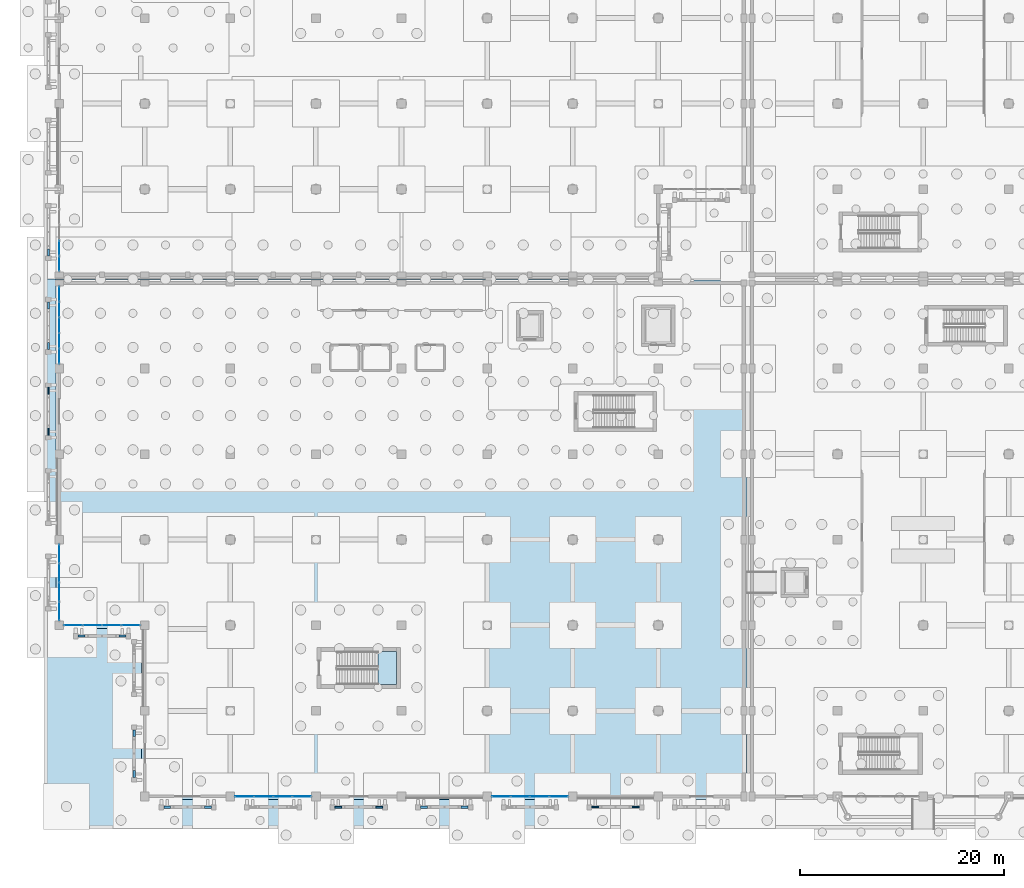
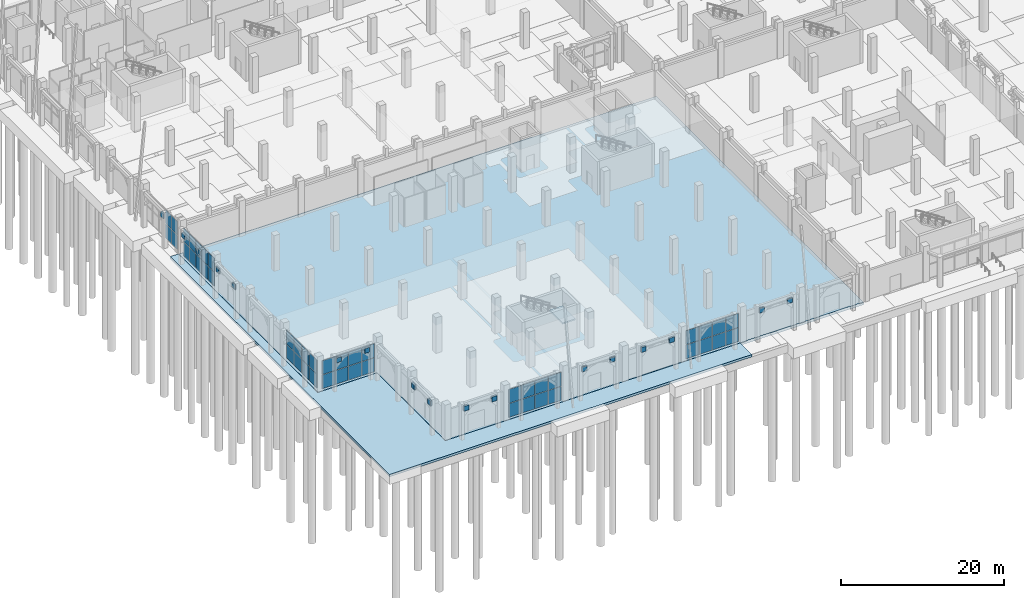
# One storey, part 50 of 98: 63 plates, 3 slabs, 7 elements without a shape of their own.
"""IFC4 building model written with IfcOpenShell, lengths in metres."""

from ifc_helpers import new_model, si_unit, direction, frame, origin, origin_2d, place, context, subcontext, project, spatial, polyline, rectangle, outline, extrude, material, layer, layer_set, type_object, element, aggregate, save


model = new_model("IFC4")

# Units and contexts
model_context = context("Model", 3, precision=1e-05, world=origin(), true_north=direction((0.0, 1.0)))
body_context = subcontext(model_context, "Body", "Model", "MODEL_VIEW")
ifc_project = project(units=[si_unit("LENGTHUNIT", "METRE"), si_unit("AREAUNIT", "SQUARE_METRE"), si_unit("VOLUMEUNIT", "CUBIC_METRE"), si_unit("PLANEANGLEUNIT", "RADIAN"), si_unit("MASSUNIT", "GRAM", prefix="KILO")], contexts=[model_context])

# Site, building, storey
site_placement = place(None, origin())
site = spatial("IfcSite", under=ifc_project, at=site_placement, CompositionType="ELEMENT")
building_placement = place(site_placement, origin())
building = spatial("IfcBuilding", under=site, at=building_placement, Name="Xazarin Passage Department Store", CompositionType="ELEMENT")
storey_placement = place(building_placement, origin())
storey = spatial("IfcBuildingStorey", under=building, at=storey_placement, Name="L00", CompositionType="ELEMENT", Elevation=0.0)

# Curtain wall, plates
ifc_material_1 = material(Name="Bronze anodised aluminium", Category="aluminium")
ifc_layer_1 = layer(ifc_material_1, 0.18994140625)
ifc_layer_set_1 = layer_set([ifc_layer_1], Name="Bronze anodised aluminium")
curtain_wall_type_1 = type_object("IfcCurtainWallType", Name="ARC-CW-FDH1", PredefinedType="NOTDEFINED", material=ifc_layer_set_1)
curtain_wall_1_placement = place(storey_placement, origin())
curtain_wall_1 = element("IfcCurtainWall", 1, at=curtain_wall_1_placement, inside=storey, type_object=curtain_wall_type_1, Name="L00 V3 Curtain Wall 118", PredefinedType="NOTDEFINED")
ifc_material_2 = material(Name="Low-E laminated safety glass", Category="glass")
ifc_layer_2 = layer(ifc_material_2, 0.028076171875)
ifc_layer_set_2 = layer_set([ifc_layer_2], Name="Low-E laminated safety glass")
plate_type_1 = type_object("IfcPlateType", Name="ARC-CWP-GLZ28", PredefinedType="CURTAIN_PANEL", material=ifc_layer_set_2)
plate_1_placement = place(storey_placement, frame((18.18505859375, 0.0, 0.06494140625), z_axis=(0.0, 0.0, 1.0), x_axis=(1.0, 0.0, 0.0)))
plate_1 = element("IfcPlate", 2, at=plate_1_placement, type_object=plate_type_1, Name="CW5 panel 1.1", PredefinedType="CURTAIN_PANEL", context=body_context, shape_type="SweptSolid", body=[
    extrude(rectangle(XDim=1.7900390625, YDim=0.028076171875, at=origin_2d()), origin(), (0.0, 0.0, 1.0), 2.0673828125),
])
plate_2_placement = place(storey_placement, frame((18.18505859375, 0.0, 2.197509765625), z_axis=(0.0, 0.0, 1.0), x_axis=(1.0, 0.0, 0.0)))
plate_2 = element("IfcPlate", 3, at=plate_2_placement, type_object=plate_type_1, Name="CW5 panel 1.2", PredefinedType="CURTAIN_PANEL", context=body_context, shape_type="SweptSolid", body=[
    extrude(rectangle(XDim=1.7900390625, YDim=0.028076171875, at=origin_2d()), origin(), (0.0, 0.0, 1.0), 2.0673828125),
])
plate_3_placement = place(storey_placement, frame((20.05615234375, 0.0, 0.06494140625), z_axis=(0.0, 0.0, 1.0), x_axis=(1.0, 0.0, 0.0)))
plate_3 = element("IfcPlate", 4, at=plate_3_placement, type_object=plate_type_1, Name="CW5 panel 2.1", PredefinedType="CURTAIN_PANEL", context=body_context, shape_type="SweptSolid", body=[
    extrude(rectangle(XDim=1.822509765625, YDim=0.028076171875, at=origin_2d()), origin(), (0.0, 0.0, 1.0), 2.0673828125),
])
plate_4_placement = place(storey_placement, frame((20.05615234375, 0.0, 2.197509765625), z_axis=(0.0, 0.0, 1.0), x_axis=(1.0, 0.0, 0.0)))
plate_4 = element("IfcPlate", 5, at=plate_4_placement, type_object=plate_type_1, Name="CW5 panel 2.2", PredefinedType="CURTAIN_PANEL", context=body_context, shape_type="SweptSolid", body=[
    extrude(rectangle(XDim=1.822509765625, YDim=0.028076171875, at=origin_2d()), origin(), (0.0, 0.0, 1.0), 2.0673828125),
])
plate_5_placement = place(storey_placement, frame((21.94384765625, 0.0, 0.06494140625), z_axis=(0.0, 0.0, 1.0), x_axis=(1.0, 0.0, 0.0)))
plate_5 = element("IfcPlate", 6, at=plate_5_placement, type_object=plate_type_1, Name="CW5 panel 3.1", PredefinedType="CURTAIN_PANEL", context=body_context, shape_type="SweptSolid", body=[
    extrude(rectangle(XDim=1.822509765625, YDim=0.028076171875, at=origin_2d()), origin(), (0.0, 0.0, 1.0), 2.0673828125),
])
plate_6_placement = place(storey_placement, frame((21.94384765625, 0.0, 2.197509765625), z_axis=(0.0, 0.0, 1.0), x_axis=(1.0, 0.0, 0.0)))
plate_6 = element("IfcPlate", 7, at=plate_6_placement, type_object=plate_type_1, Name="CW5 panel 3.2", PredefinedType="CURTAIN_PANEL", context=body_context, shape_type="SweptSolid", body=[
    extrude(rectangle(XDim=1.822509765625, YDim=0.028076171875, at=origin_2d()), origin(), (0.0, 0.0, 1.0), 2.0673828125),
])
plate_7_placement = place(storey_placement, frame((23.81494140625, 0.0, 0.06494140625), z_axis=(0.0, 0.0, 1.0), x_axis=(1.0, 0.0, 0.0)))
plate_7 = element("IfcPlate", 8, at=plate_7_placement, type_object=plate_type_1, Name="CW5 panel 4.1", PredefinedType="CURTAIN_PANEL", context=body_context, shape_type="SweptSolid", body=[
    extrude(rectangle(XDim=1.7900390625, YDim=0.028076171875, at=origin_2d()), origin(), (0.0, 0.0, 1.0), 2.0673828125),
])
plate_8_placement = place(storey_placement, frame((23.81494140625, 0.0, 2.197509765625), z_axis=(0.0, 0.0, 1.0), x_axis=(1.0, 0.0, 0.0)))
plate_8 = element("IfcPlate", 9, at=plate_8_placement, type_object=plate_type_1, Name="CW5 panel 4.2", PredefinedType="CURTAIN_PANEL", context=body_context, shape_type="SweptSolid", body=[
    extrude(rectangle(XDim=1.7900390625, YDim=0.028076171875, at=origin_2d()), origin(), (0.0, 0.0, 1.0), 2.0673828125),
])
aggregate(curtain_wall_1, [plate_1, plate_2, plate_3, plate_4, plate_5, plate_6, plate_7, plate_8])

curtain_wall_2_placement = place(storey_placement, origin())
curtain_wall_2 = element("IfcCurtainWall", 10, at=curtain_wall_2_placement, inside=storey, type_object=curtain_wall_type_1, Name="L00 V3 Curtain Wall 119", PredefinedType="NOTDEFINED")
plate_9_placement = place(storey_placement, frame((43.385009765625, 0.0, 0.06494140625), z_axis=(0.0, 0.0, 1.0), x_axis=(1.0, 0.0, 0.0)))
plate_9 = element("IfcPlate", 11, at=plate_9_placement, type_object=plate_type_1, Name="CW5 panel 1.1", PredefinedType="CURTAIN_PANEL", context=body_context, shape_type="SweptSolid", body=[
    extrude(rectangle(XDim=1.7900390625, YDim=0.028076171875, at=origin_2d()), origin(), (0.0, 0.0, 1.0), 2.0673828125),
])
plate_10_placement = place(storey_placement, frame((43.385009765625, 0.0, 2.197509765625), z_axis=(0.0, 0.0, 1.0), x_axis=(1.0, 0.0, 0.0)))
plate_10 = element("IfcPlate", 12, at=plate_10_placement, type_object=plate_type_1, Name="CW5 panel 1.2", PredefinedType="CURTAIN_PANEL", context=body_context, shape_type="SweptSolid", body=[
    extrude(rectangle(XDim=1.7900390625, YDim=0.028076171875, at=origin_2d()), origin(), (0.0, 0.0, 1.0), 2.0673828125),
])
plate_11_placement = place(storey_placement, frame((45.25634765625, 0.0, 0.06494140625), z_axis=(0.0, 0.0, 1.0), x_axis=(1.0, 0.0, 0.0)))
plate_11 = element("IfcPlate", 13, at=plate_11_placement, type_object=plate_type_1, Name="CW5 panel 2.1", PredefinedType="CURTAIN_PANEL", context=body_context, shape_type="SweptSolid", body=[
    extrude(rectangle(XDim=1.822509765625, YDim=0.028076171875, at=origin_2d()), origin(), (0.0, 0.0, 1.0), 2.0673828125),
])
plate_12_placement = place(storey_placement, frame((45.25634765625, 0.0, 2.197509765625), z_axis=(0.0, 0.0, 1.0), x_axis=(1.0, 0.0, 0.0)))
plate_12 = element("IfcPlate", 14, at=plate_12_placement, type_object=plate_type_1, Name="CW5 panel 2.2", PredefinedType="CURTAIN_PANEL", context=body_context, shape_type="SweptSolid", body=[
    extrude(rectangle(XDim=1.822509765625, YDim=0.028076171875, at=origin_2d()), origin(), (0.0, 0.0, 1.0), 2.0673828125),
])
plate_13_placement = place(storey_placement, frame((47.143798828125, 0.0, 0.06494140625), z_axis=(0.0, 0.0, 1.0), x_axis=(1.0, 0.0, 0.0)))
plate_13 = element("IfcPlate", 15, at=plate_13_placement, type_object=plate_type_1, Name="CW5 panel 3.1", PredefinedType="CURTAIN_PANEL", context=body_context, shape_type="SweptSolid", body=[
    extrude(rectangle(XDim=1.822509765625, YDim=0.028076171875, at=origin_2d()), origin(), (0.0, 0.0, 1.0), 2.0673828125),
])
plate_14_placement = place(storey_placement, frame((47.143798828125, 0.0, 2.197509765625), z_axis=(0.0, 0.0, 1.0), x_axis=(1.0, 0.0, 0.0)))
plate_14 = element("IfcPlate", 16, at=plate_14_placement, type_object=plate_type_1, Name="CW5 panel 3.2", PredefinedType="CURTAIN_PANEL", context=body_context, shape_type="SweptSolid", body=[
    extrude(rectangle(XDim=1.822509765625, YDim=0.028076171875, at=origin_2d()), origin(), (0.0, 0.0, 1.0), 2.0673828125),
])
plate_15_placement = place(storey_placement, frame((49.014892578125, 0.0, 0.06494140625), z_axis=(0.0, 0.0, 1.0), x_axis=(1.0, 0.0, 0.0)))
plate_15 = element("IfcPlate", 17, at=plate_15_placement, type_object=plate_type_1, Name="CW5 panel 4.1", PredefinedType="CURTAIN_PANEL", context=body_context, shape_type="SweptSolid", body=[
    extrude(rectangle(XDim=1.7900390625, YDim=0.028076171875, at=origin_2d()), origin(), (0.0, 0.0, 1.0), 2.0673828125),
])
plate_16_placement = place(storey_placement, frame((49.014892578125, 0.0, 2.197509765625), z_axis=(0.0, 0.0, 1.0), x_axis=(1.0, 0.0, 0.0)))
plate_16 = element("IfcPlate", 18, at=plate_16_placement, type_object=plate_type_1, Name="CW5 panel 4.2", PredefinedType="CURTAIN_PANEL", context=body_context, shape_type="SweptSolid", body=[
    extrude(rectangle(XDim=1.7900390625, YDim=0.028076171875, at=origin_2d()), origin(), (0.0, 0.0, 1.0), 2.0673828125),
])
aggregate(curtain_wall_2, [plate_9, plate_10, plate_11, plate_12, plate_13, plate_14, plate_15, plate_16])

curtain_wall_3_placement = place(storey_placement, origin())
curtain_wall_3 = element("IfcCurtainWall", 19, at=curtain_wall_3_placement, inside=storey, type_object=curtain_wall_type_1, Name="L00 V3 Curtain Wall 120", PredefinedType="NOTDEFINED")
plate_17_placement = place(storey_placement, frame((1.385009765625, 16.800048828125, 0.06494140625), z_axis=(0.0, 0.0, 1.0), x_axis=(1.0, 0.0, 0.0)))
plate_17 = element("IfcPlate", 20, at=plate_17_placement, type_object=plate_type_1, Name="CW5 panel 1.1", PredefinedType="CURTAIN_PANEL", context=body_context, shape_type="SweptSolid", body=[
    extrude(rectangle(XDim=1.7900390625, YDim=0.028076171875, at=origin_2d()), origin(), (0.0, 0.0, 1.0), 2.0673828125),
])
plate_18_placement = place(storey_placement, frame((1.385009765625, 16.800048828125, 2.197509765625), z_axis=(0.0, 0.0, 1.0), x_axis=(1.0, 0.0, 0.0)))
plate_18 = element("IfcPlate", 21, at=plate_18_placement, type_object=plate_type_1, Name="CW5 panel 1.2", PredefinedType="CURTAIN_PANEL", context=body_context, shape_type="SweptSolid", body=[
    extrude(rectangle(XDim=1.7900390625, YDim=0.028076171875, at=origin_2d()), origin(), (0.0, 0.0, 1.0), 2.0673828125),
])
plate_19_placement = place(storey_placement, frame((3.25634765625, 16.800048828125, 0.06494140625), z_axis=(0.0, 0.0, 1.0), x_axis=(1.0, 0.0, 0.0)))
plate_19 = element("IfcPlate", 22, at=plate_19_placement, type_object=plate_type_1, Name="CW5 panel 2.1", PredefinedType="CURTAIN_PANEL", context=body_context, shape_type="SweptSolid", body=[
    extrude(rectangle(XDim=1.822509765625, YDim=0.028076171875, at=origin_2d()), origin(), (0.0, 0.0, 1.0), 2.0673828125),
])
plate_20_placement = place(storey_placement, frame((3.25634765625, 16.800048828125, 2.197509765625), z_axis=(0.0, 0.0, 1.0), x_axis=(1.0, 0.0, 0.0)))
plate_20 = element("IfcPlate", 23, at=plate_20_placement, type_object=plate_type_1, Name="CW5 panel 2.2", PredefinedType="CURTAIN_PANEL", context=body_context, shape_type="SweptSolid", body=[
    extrude(rectangle(XDim=1.822509765625, YDim=0.028076171875, at=origin_2d()), origin(), (0.0, 0.0, 1.0), 2.0673828125),
])
plate_21_placement = place(storey_placement, frame((5.143798828125, 16.800048828125, 0.06494140625), z_axis=(0.0, 0.0, 1.0), x_axis=(1.0, 0.0, 0.0)))
plate_21 = element("IfcPlate", 24, at=plate_21_placement, type_object=plate_type_1, Name="CW5 panel 3.1", PredefinedType="CURTAIN_PANEL", context=body_context, shape_type="SweptSolid", body=[
    extrude(rectangle(XDim=1.822509765625, YDim=0.028076171875, at=origin_2d()), origin(), (0.0, 0.0, 1.0), 2.0673828125),
])
plate_22_placement = place(storey_placement, frame((5.143798828125, 16.800048828125, 2.197509765625), z_axis=(0.0, 0.0, 1.0), x_axis=(1.0, 0.0, 0.0)))
plate_22 = element("IfcPlate", 25, at=plate_22_placement, type_object=plate_type_1, Name="CW5 panel 3.2", PredefinedType="CURTAIN_PANEL", context=body_context, shape_type="SweptSolid", body=[
    extrude(rectangle(XDim=1.822509765625, YDim=0.028076171875, at=origin_2d()), origin(), (0.0, 0.0, 1.0), 2.0673828125),
])
plate_23_placement = place(storey_placement, frame((7.014892578125, 16.800048828125, 0.06494140625), z_axis=(0.0, 0.0, 1.0), x_axis=(1.0, 0.0, 0.0)))
plate_23 = element("IfcPlate", 26, at=plate_23_placement, type_object=plate_type_1, Name="CW5 panel 4.1", PredefinedType="CURTAIN_PANEL", context=body_context, shape_type="SweptSolid", body=[
    extrude(rectangle(XDim=1.7900390625, YDim=0.028076171875, at=origin_2d()), origin(), (0.0, 0.0, 1.0), 2.0673828125),
])
plate_24_placement = place(storey_placement, frame((7.014892578125, 16.800048828125, 2.197509765625), z_axis=(0.0, 0.0, 1.0), x_axis=(1.0, 0.0, 0.0)))
plate_24 = element("IfcPlate", 27, at=plate_24_placement, type_object=plate_type_1, Name="CW5 panel 4.2", PredefinedType="CURTAIN_PANEL", context=body_context, shape_type="SweptSolid", body=[
    extrude(rectangle(XDim=1.7900390625, YDim=0.028076171875, at=origin_2d()), origin(), (0.0, 0.0, 1.0), 2.0673828125),
])
aggregate(curtain_wall_3, [plate_17, plate_18, plate_19, plate_20, plate_21, plate_22, plate_23, plate_24])

curtain_wall_4_placement = place(storey_placement, origin())
curtain_wall_4 = element("IfcCurtainWall", 28, at=curtain_wall_4_placement, inside=storey, type_object=curtain_wall_type_1, Name="L00 V3 Curtain Wall 121", PredefinedType="NOTDEFINED")
plate_25_placement = place(storey_placement, frame((0.0, 18.18505859375, 0.06494140625), z_axis=(0.0, 0.0, 1.0), x_axis=(0.0, 1.0, 0.0)))
plate_25 = element("IfcPlate", 29, at=plate_25_placement, type_object=plate_type_1, Name="CW5 panel 1.1", PredefinedType="CURTAIN_PANEL", context=body_context, shape_type="SweptSolid", body=[
    extrude(rectangle(XDim=1.7900390625, YDim=0.028076171875, at=origin_2d()), origin(), (0.0, 0.0, 1.0), 2.0673828125),
])
plate_26_placement = place(storey_placement, frame((0.0, 18.18505859375, 2.197509765625), z_axis=(0.0, 0.0, 1.0), x_axis=(0.0, 1.0, 0.0)))
plate_26 = element("IfcPlate", 30, at=plate_26_placement, type_object=plate_type_1, Name="CW5 panel 1.2", PredefinedType="CURTAIN_PANEL", context=body_context, shape_type="SweptSolid", body=[
    extrude(rectangle(XDim=1.7900390625, YDim=0.028076171875, at=origin_2d()), origin(), (0.0, 0.0, 1.0), 2.0673828125),
])
plate_27_placement = place(storey_placement, frame((0.0, 20.05615234375, 0.06494140625), z_axis=(0.0, 0.0, 1.0), x_axis=(0.0, 1.0, 0.0)))
plate_27 = element("IfcPlate", 31, at=plate_27_placement, type_object=plate_type_1, Name="CW5 panel 2.1", PredefinedType="CURTAIN_PANEL", context=body_context, shape_type="SweptSolid", body=[
    extrude(rectangle(XDim=1.822509765625, YDim=0.028076171875, at=origin_2d()), origin(), (0.0, 0.0, 1.0), 2.0673828125),
])
plate_28_placement = place(storey_placement, frame((0.0, 20.05615234375, 2.197509765625), z_axis=(0.0, 0.0, 1.0), x_axis=(0.0, 1.0, 0.0)))
plate_28 = element("IfcPlate", 32, at=plate_28_placement, type_object=plate_type_1, Name="CW5 panel 2.2", PredefinedType="CURTAIN_PANEL", context=body_context, shape_type="SweptSolid", body=[
    extrude(rectangle(XDim=1.822509765625, YDim=0.028076171875, at=origin_2d()), origin(), (0.0, 0.0, 1.0), 2.0673828125),
])
plate_29_placement = place(storey_placement, frame((0.0, 21.94384765625, 0.06494140625), z_axis=(0.0, 0.0, 1.0), x_axis=(0.0, 1.0, 0.0)))
plate_29 = element("IfcPlate", 33, at=plate_29_placement, type_object=plate_type_1, Name="CW5 panel 3.1", PredefinedType="CURTAIN_PANEL", context=body_context, shape_type="SweptSolid", body=[
    extrude(rectangle(XDim=1.822509765625, YDim=0.028076171875, at=origin_2d()), origin(), (0.0, 0.0, 1.0), 2.0673828125),
])
plate_30_placement = place(storey_placement, frame((0.0, 21.94384765625, 2.197509765625), z_axis=(0.0, 0.0, 1.0), x_axis=(0.0, 1.0, 0.0)))
plate_30 = element("IfcPlate", 34, at=plate_30_placement, type_object=plate_type_1, Name="CW5 panel 3.2", PredefinedType="CURTAIN_PANEL", context=body_context, shape_type="SweptSolid", body=[
    extrude(rectangle(XDim=1.822509765625, YDim=0.028076171875, at=origin_2d()), origin(), (0.0, 0.0, 1.0), 2.0673828125),
])
plate_31_placement = place(storey_placement, frame((0.0, 23.81494140625, 0.06494140625), z_axis=(0.0, 0.0, 1.0), x_axis=(0.0, 1.0, 0.0)))
plate_31 = element("IfcPlate", 35, at=plate_31_placement, type_object=plate_type_1, Name="CW5 panel 4.1", PredefinedType="CURTAIN_PANEL", context=body_context, shape_type="SweptSolid", body=[
    extrude(rectangle(XDim=1.7900390625, YDim=0.028076171875, at=origin_2d()), origin(), (0.0, 0.0, 1.0), 2.0673828125),
])
plate_32_placement = place(storey_placement, frame((0.0, 23.81494140625, 2.197509765625), z_axis=(0.0, 0.0, 1.0), x_axis=(0.0, 1.0, 0.0)))
plate_32 = element("IfcPlate", 36, at=plate_32_placement, type_object=plate_type_1, Name="CW5 panel 4.2", PredefinedType="CURTAIN_PANEL", context=body_context, shape_type="SweptSolid", body=[
    extrude(rectangle(XDim=1.7900390625, YDim=0.028076171875, at=origin_2d()), origin(), (0.0, 0.0, 1.0), 2.0673828125),
])
aggregate(curtain_wall_4, [plate_25, plate_26, plate_27, plate_28, plate_29, plate_30, plate_31, plate_32])

curtain_wall_5_placement = place(storey_placement, origin())
curtain_wall_5 = element("IfcCurtainWall", 37, at=curtain_wall_5_placement, inside=storey, type_object=curtain_wall_type_1, Name="L00 V3 Curtain Wall 122", PredefinedType="NOTDEFINED")
plate_33_placement = place(storey_placement, frame((0.0, 43.208740234375, 0.06494140625), z_axis=(0.0, 0.0, 1.0), x_axis=(0.0, 1.0, 0.0)))
plate_33 = element("IfcPlate", 38, at=plate_33_placement, type_object=plate_type_1, Name="CW5 panel 1.1", PredefinedType="CURTAIN_PANEL", context=body_context, shape_type="SweptSolid", body=[
    extrude(rectangle(XDim=1.4375, YDim=0.028076171875, at=origin_2d()), origin(), (0.0, 0.0, 1.0), 2.0673828125),
])
plate_34_placement = place(storey_placement, frame((0.0, 43.208740234375, 2.197509765625), z_axis=(0.0, 0.0, 1.0), x_axis=(0.0, 1.0, 0.0)))
plate_34 = element("IfcPlate", 39, at=plate_34_placement, type_object=plate_type_1, Name="CW5 panel 1.2", PredefinedType="CURTAIN_PANEL", context=body_context, shape_type="SweptSolid", body=[
    extrude(rectangle(XDim=1.4375, YDim=0.028076171875, at=origin_2d()), origin(), (0.0, 0.0, 1.0), 2.0673828125),
])
plate_35_placement = place(storey_placement, frame((0.0, 44.7275390625, 0.06494140625), z_axis=(0.0, 0.0, 1.0), x_axis=(0.0, 1.0, 0.0)))
plate_35 = element("IfcPlate", 40, at=plate_35_placement, type_object=plate_type_1, Name="CW5 panel 2.1", PredefinedType="CURTAIN_PANEL", context=body_context, shape_type="SweptSolid", body=[
    extrude(rectangle(XDim=1.469970703125, YDim=0.028076171875, at=origin_2d()), origin(), (0.0, 0.0, 1.0), 2.0673828125),
])
plate_36_placement = place(storey_placement, frame((0.0, 44.7275390625, 2.197509765625), z_axis=(0.0, 0.0, 1.0), x_axis=(0.0, 1.0, 0.0)))
plate_36 = element("IfcPlate", 41, at=plate_36_placement, type_object=plate_type_1, Name="CW5 panel 2.2", PredefinedType="CURTAIN_PANEL", context=body_context, shape_type="SweptSolid", body=[
    extrude(rectangle(XDim=1.469970703125, YDim=0.028076171875, at=origin_2d()), origin(), (0.0, 0.0, 1.0), 2.0673828125),
])
plate_37_placement = place(storey_placement, frame((0.0, 46.262451171875, 0.06494140625), z_axis=(0.0, 0.0, 1.0), x_axis=(0.0, 1.0, 0.0)))
plate_37 = element("IfcPlate", 42, at=plate_37_placement, type_object=plate_type_1, Name="CW5 panel 3.1", PredefinedType="CURTAIN_PANEL", context=body_context, shape_type="SweptSolid", body=[
    extrude(rectangle(XDim=1.469970703125, YDim=0.028076171875, at=origin_2d()), origin(), (0.0, 0.0, 1.0), 2.0673828125),
])
plate_38_placement = place(storey_placement, frame((0.0, 46.262451171875, 2.197509765625), z_axis=(0.0, 0.0, 1.0), x_axis=(0.0, 1.0, 0.0)))
plate_38 = element("IfcPlate", 43, at=plate_38_placement, type_object=plate_type_1, Name="CW5 panel 3.2", PredefinedType="CURTAIN_PANEL", context=body_context, shape_type="SweptSolid", body=[
    extrude(rectangle(XDim=1.469970703125, YDim=0.028076171875, at=origin_2d()), origin(), (0.0, 0.0, 1.0), 2.0673828125),
])
plate_39_placement = place(storey_placement, frame((0.0, 47.797607421875, 0.06494140625), z_axis=(0.0, 0.0, 1.0), x_axis=(0.0, 1.0, 0.0)))
plate_39 = element("IfcPlate", 44, at=plate_39_placement, type_object=plate_type_1, Name="CW5 panel 4.1", PredefinedType="CURTAIN_PANEL", context=body_context, shape_type="SweptSolid", body=[
    extrude(rectangle(XDim=1.469970703125, YDim=0.028076171875, at=origin_2d()), origin(), (0.0, 0.0, 1.0), 2.0673828125),
])
plate_40_placement = place(storey_placement, frame((0.0, 47.797607421875, 2.197509765625), z_axis=(0.0, 0.0, 1.0), x_axis=(0.0, 1.0, 0.0)))
plate_40 = element("IfcPlate", 45, at=plate_40_placement, type_object=plate_type_1, Name="CW5 panel 4.2", PredefinedType="CURTAIN_PANEL", context=body_context, shape_type="SweptSolid", body=[
    extrude(rectangle(XDim=1.469970703125, YDim=0.028076171875, at=origin_2d()), origin(), (0.0, 0.0, 1.0), 2.0673828125),
])
plate_41_placement = place(storey_placement, frame((0.0, 49.316162109375, 0.06494140625), z_axis=(0.0, 0.0, 1.0), x_axis=(0.0, 1.0, 0.0)))
plate_41 = element("IfcPlate", 46, at=plate_41_placement, type_object=plate_type_1, Name="CW5 panel 5.1", PredefinedType="CURTAIN_PANEL", context=body_context, shape_type="SweptSolid", body=[
    extrude(rectangle(XDim=1.4375, YDim=0.028076171875, at=origin_2d()), origin(), (0.0, 0.0, 1.0), 2.0673828125),
])
plate_42_placement = place(storey_placement, frame((0.0, 49.316162109375, 2.197509765625), z_axis=(0.0, 0.0, 1.0), x_axis=(0.0, 1.0, 0.0)))
plate_42 = element("IfcPlate", 47, at=plate_42_placement, type_object=plate_type_1, Name="CW5 panel 5.2", PredefinedType="CURTAIN_PANEL", context=body_context, shape_type="SweptSolid", body=[
    extrude(rectangle(XDim=1.4375, YDim=0.028076171875, at=origin_2d()), origin(), (0.0, 0.0, 1.0), 2.0673828125),
])
aggregate(curtain_wall_5, [plate_33, plate_34, plate_35, plate_36, plate_37, plate_38, plate_39, plate_40, plate_41, plate_42])

ifc_layer_3 = layer(ifc_material_1, 0.179931640625)
ifc_layer_set_3 = layer_set([ifc_layer_3], Name="Bronze anodised aluminium")
curtain_wall_type_2 = type_object("IfcCurtainWallType", Name="ARC-CW-VIT1", PredefinedType="NOTDEFINED", material=ifc_layer_set_3)
curtain_wall_6_placement = place(storey_placement, origin())
curtain_wall_6 = element("IfcCurtainWall", 48, at=curtain_wall_6_placement, inside=storey, type_object=curtain_wall_type_2, Name="L00 V1 Curtain Wall 004", PredefinedType="NOTDEFINED")
ifc_layer_4 = layer(ifc_material_2, 0.031982421875)
ifc_layer_set_4 = layer_set([ifc_layer_4], Name="Low-E laminated safety glass")
plate_type_2 = type_object("IfcPlateType", Name="ARC-CWP-GLZ32", PredefinedType="CURTAIN_PANEL", material=ifc_layer_set_4)
plate_43_placement = place(storey_placement, frame((0.0, 52.2861328125, 0.074951171875), z_axis=(0.0, 0.0, 1.0), x_axis=(0.0, 1.0, 0.0)))
plate_43 = element("IfcPlate", 49, at=plate_43_placement, type_object=plate_type_2, Name="CW1 panel 1.1", PredefinedType="CURTAIN_PANEL", context=body_context, shape_type="SweptSolid", body=[
    extrude(rectangle(XDim=1.422607421875, YDim=0.031982421875, at=origin_2d()), origin(), (0.0, 0.0, 1.0), 2.0625),
])
plate_44_placement = place(storey_placement, frame((0.0, 52.2861328125, 2.21240234375), z_axis=(0.0, 0.0, 1.0), x_axis=(0.0, 1.0, 0.0)))
plate_44 = element("IfcPlate", 50, at=plate_44_placement, type_object=plate_type_2, Name="CW1 panel 1.2", PredefinedType="CURTAIN_PANEL", context=body_context, shape_type="SweptSolid", body=[
    extrude(rectangle(XDim=1.422607421875, YDim=0.031982421875, at=origin_2d()), origin(), (0.0, 0.0, 1.0), 2.0625),
])
plate_45_placement = place(storey_placement, frame((0.0, 53.802490234375, 0.074951171875), z_axis=(0.0, 0.0, 1.0), x_axis=(0.0, 1.0, 0.0)))
plate_45 = element("IfcPlate", 51, at=plate_45_placement, type_object=plate_type_2, Name="CW1 panel 2.1", PredefinedType="CURTAIN_PANEL", context=body_context, shape_type="SweptSolid", body=[
    extrude(rectangle(XDim=1.4599609375, YDim=0.031982421875, at=origin_2d()), origin(), (0.0, 0.0, 1.0), 2.0625),
])
plate_46_placement = place(storey_placement, frame((0.0, 53.802490234375, 2.21240234375), z_axis=(0.0, 0.0, 1.0), x_axis=(0.0, 1.0, 0.0)))
plate_46 = element("IfcPlate", 52, at=plate_46_placement, type_object=plate_type_2, Name="CW1 panel 2.2", PredefinedType="CURTAIN_PANEL", context=body_context, shape_type="SweptSolid", body=[
    extrude(rectangle(XDim=1.4599609375, YDim=0.031982421875, at=origin_2d()), origin(), (0.0, 0.0, 1.0), 2.0625),
])
aggregate(curtain_wall_6, [plate_43, plate_44, plate_45, plate_46])

# Plates
ifc_material_3 = material(Name="Precast concrete C40/50", Category="concrete")
ifc_layer_5 = layer(ifc_material_3, 0.159912109375)
ifc_layer_set_5 = layer_set([ifc_layer_5], Name="Precast concrete C40/50")
plate_type_3 = type_object("IfcPlateType", Name="ARC-PLT-SCR-09", PredefinedType="USERDEFINED", material=ifc_layer_set_5)
for number, where, z_axis, x_axis, name in (
    (53, (52.60009765625, -1.050048828125, 4.16015625), (0.0, 0.0, 1.0), (1.0, 0.0, 0.0), "L00 V3 Arch Spandrel Tympanum 0249"),
    (54, (56.60009765625, -1.050048828125, 4.16015625), (0.0, 0.0, 1.0), (1.0, 0.0, 0.0), "L00 V3 Arch Spandrel Tympanum 0250"),
    (55, (-1.050048828125, 35.800048828125, 4.16015625), (0.0, 0.0, 1.0), (0.0, 1.0, 0.0), "L00 V3 Arch Spandrel Tympanum 0269"),
    (56, (-1.050048828125, 39.800048828125, 4.16015625), (0.0, 0.0, 1.0), (0.0, 1.0, 0.0), "L00 V3 Arch Spandrel Tympanum 0270"),
):
    element("IfcPlate", number, at=place(storey_placement, frame(where, z_axis=z_axis, x_axis=x_axis)), inside=storey, type_object=plate_type_3, Name=name, ObjectType="SCREEN PANEL", PredefinedType="USERDEFINED", context=body_context, shape_type="SweptSolid", body=[
        extrude(rectangle(XDim=0.679931640625, YDim=0.159912109375, at=origin_2d()), origin(), (0.0, 0.0, 1.0), 0.719970703125),
    ])
ifc_layer_6 = layer(ifc_material_3, 0.179931640625)
ifc_layer_set_6 = layer_set([ifc_layer_6], Name="Precast concrete C40/50")
plate_type_4 = type_object("IfcPlateType", Name="ARC-PLT-SCR-11", PredefinedType="USERDEFINED", material=ifc_layer_set_6)
for number, where, z_axis, x_axis, name in (
    (57, (27.39990234375, -1.050048828125, 4.16015625), (0.0, 0.0, 1.0), (1.0, 0.0, 0.0), "L00 V3 Arch Spandrel Tympanum 0231"),
    (58, (31.39990234375, -1.050048828125, 4.16015625), (0.0, 0.0, 1.0), (1.0, 0.0, 0.0), "L00 V3 Arch Spandrel Tympanum 0232"),
):
    element("IfcPlate", number, at=place(storey_placement, frame(where, z_axis=z_axis, x_axis=x_axis)), inside=storey, type_object=plate_type_4, Name=name, ObjectType="SCREEN PANEL", PredefinedType="USERDEFINED", context=body_context, shape_type="SweptSolid", body=[
        extrude(rectangle(XDim=0.679931640625, YDim=0.179931640625, at=origin_2d()), origin(), (0.0, 0.0, 1.0), 0.719970703125),
    ])
ifc_layer_7 = layer(ifc_material_3, 0.199951171875)
ifc_layer_set_7 = layer_set([ifc_layer_7], Name="Precast concrete C40/50")
plate_type_5 = type_object("IfcPlateType", Name="ARC-PLT-SCR-13", PredefinedType="USERDEFINED", material=ifc_layer_set_7)
for number, where, z_axis, x_axis, name in (
    (59, (-1.050048828125, 53.39990234375, 4.16015625), (0.0, 0.0, 1.0), (0.0, 1.0, 0.0), "L00 V1 Arch Spandrel Tympanum 0073"),
    (60, (-1.050048828125, 44.199951171875, 4.16015625), (0.0, 0.0, 1.0), (0.0, 1.0, 0.0), "L00 V3 Arch Spandrel Tympanum 0273"),
    (61, (-1.050048828125, 48.199951171875, 4.16015625), (0.0, 0.0, 1.0), (0.0, 1.0, 0.0), "L00 V3 Arch Spandrel Tympanum 0274"),
):
    element("IfcPlate", number, at=place(storey_placement, frame(where, z_axis=z_axis, x_axis=x_axis)), inside=storey, type_object=plate_type_5, Name=name, ObjectType="SCREEN PANEL", PredefinedType="USERDEFINED", context=body_context, shape_type="SweptSolid", body=[
        extrude(rectangle(XDim=0.679931640625, YDim=0.199951171875, at=origin_2d()), origin(), (0.0, 0.0, 1.0), 0.719970703125),
    ])
ifc_layer_8 = layer(ifc_material_3, 0.219970703125)
ifc_layer_set_8 = layer_set([ifc_layer_8], Name="Precast concrete C40/50")
plate_type_6 = type_object("IfcPlateType", Name="ARC-PLT-SCR-15", PredefinedType="USERDEFINED", material=ifc_layer_set_8)
for number, where, z_axis, x_axis, name in (
    (62, (2.199951171875, 15.75, 4.16015625), (0.0, 0.0, 1.0), (1.0, 0.0, 0.0), "L00 V3 Arch Spandrel Tympanum 0215"),
    (63, (6.199951171875, 15.75, 4.16015625), (0.0, 0.0, 1.0), (1.0, 0.0, 0.0), "L00 V3 Arch Spandrel Tympanum 0216"),
):
    element("IfcPlate", number, at=place(storey_placement, frame(where, z_axis=z_axis, x_axis=x_axis)), inside=storey, type_object=plate_type_6, Name=name, ObjectType="SCREEN PANEL", PredefinedType="USERDEFINED", context=body_context, shape_type="SweptSolid", body=[
        extrude(rectangle(XDim=0.679931640625, YDim=0.219970703125, at=origin_2d()), origin(), (0.0, 0.0, 1.0), 0.719970703125),
    ])
ifc_layer_9 = layer(ifc_material_3, 0.239990234375)
ifc_layer_set_9 = layer_set([ifc_layer_9], Name="Precast concrete C40/50")
plate_type_7 = type_object("IfcPlateType", Name="ARC-PLT-SCR-17", PredefinedType="USERDEFINED", material=ifc_layer_set_9)
for number, where, z_axis, x_axis, name in (
    (64, (35.800048828125, -1.050048828125, 4.16015625), (0.0, 0.0, 1.0), (1.0, 0.0, 0.0), "L00 V3 Arch Spandrel Tympanum 0237"),
    (65, (39.800048828125, -1.050048828125, 4.16015625), (0.0, 0.0, 1.0), (1.0, 0.0, 0.0), "L00 V3 Arch Spandrel Tympanum 0238"),
    (66, (7.35009765625, 2.199951171875, 4.16015625), (0.0, 0.0, 1.0), (0.0, 1.0, 0.0), "L00 V3 Arch Spandrel Tympanum 0277"),
    (67, (7.35009765625, 6.199951171875, 4.16015625), (0.0, 0.0, 1.0), (0.0, 1.0, 0.0), "L00 V3 Arch Spandrel Tympanum 0278"),
):
    element("IfcPlate", number, at=place(storey_placement, frame(where, z_axis=z_axis, x_axis=x_axis)), inside=storey, type_object=plate_type_7, Name=name, ObjectType="SCREEN PANEL", PredefinedType="USERDEFINED", context=body_context, shape_type="SweptSolid", body=[
        extrude(rectangle(XDim=0.679931640625, YDim=0.239990234375, at=origin_2d()), origin(), (0.0, 0.0, 1.0), 0.719970703125),
    ])
ifc_layer_10 = layer(ifc_material_3, 0.260009765625)
ifc_layer_set_10 = layer_set([ifc_layer_10], Name="Precast concrete C40/50")
plate_type_8 = type_object("IfcPlateType", Name="ARC-PLT-SCR-19", PredefinedType="USERDEFINED", material=ifc_layer_set_10)
for number, where, z_axis, x_axis, name in (
    (68, (10.60009765625, -1.050048828125, 4.16015625), (0.0, 0.0, 1.0), (1.0, 0.0, 0.0), "L00 V3 Arch Spandrel Tympanum 0219"),
    (69, (14.60009765625, -1.050048828125, 4.16015625), (0.0, 0.0, 1.0), (1.0, 0.0, 0.0), "L00 V3 Arch Spandrel Tympanum 0220"),
):
    element("IfcPlate", number, at=place(storey_placement, frame(where, z_axis=z_axis, x_axis=x_axis)), inside=storey, type_object=plate_type_8, Name=name, ObjectType="SCREEN PANEL", PredefinedType="USERDEFINED", context=body_context, shape_type="SweptSolid", body=[
        extrude(rectangle(XDim=0.679931640625, YDim=0.260009765625, at=origin_2d()), origin(), (0.0, 0.0, 1.0), 0.719970703125),
    ])

# Slab
ifc_material_4 = material(Name="Concrete C35/45", Category="concrete")
ifc_layer_11 = layer(ifc_material_4, 0.39990234375)
ifc_layer_set_11 = layer_set([ifc_layer_11], Name="Concrete C35/45")
slab_type_1 = type_object("IfcSlabType", Name="STR-SLB-BASE400", PredefinedType="BASESLAB", material=ifc_layer_set_11)
slab_1_placement = place(storey_placement, frame((0.0, 0.0, -0.39990234375)))
element("IfcSlab", 70, at=slab_1_placement, inside=storey, type_object=slab_type_1, Name="L00 V3 Structural Base Slab", PredefinedType="BASESLAB", context=body_context, shape_type="SweptSolid", body=[
    extrude(outline(polyline([(-0.300048828125, 16.5), (8.10009765625, 16.5), (8.10009765625, -0.300048828125), (67.5, -0.300048828125), (67.5, 50.699951171875), (-0.300048828125, 50.699951171875), (-0.300048828125, 16.5)])), origin(), (0.0, 0.0, 1.0), 0.39990234375),
])

# Stair, slab
stair_type = type_object("IfcStairType", Name="ARC-ST-L00", PredefinedType="HALF_TURN_STAIR", material=ifc_material_4)
stair_placement = place(storey_placement, origin())
stair = element("IfcStair", 71, at=stair_placement, inside=storey, type_object=stair_type, Name="L00 Exit Stair ST8", PredefinedType="HALF_TURN_STAIR")
ifc_layer_12 = layer(ifc_material_4, 0.199951171875)
ifc_layer_set_12 = layer_set([ifc_layer_12], Name="Concrete C35/45")
slab_type_2 = type_object("IfcSlabType", Name="STR-SLB-LND200", PredefinedType="LANDING", material=ifc_layer_set_12)
slab_2_placement = place(storey_placement, frame((0.0, 0.0, 2.5)))
slab_2 = element("IfcSlab", 72, at=slab_2_placement, type_object=slab_type_2, Name="ST8 landing 1", PredefinedType="LANDING", context=body_context, shape_type="SweptSolid", body=[
    extrude(outline(polyline([(31.2900390625, 10.97998046875), (33.10009765625, 10.97998046875), (33.10009765625, 14.219970703125), (31.2900390625, 14.219970703125), (31.2900390625, 10.97998046875)])), origin(), (0.0, 0.0, 1.0), 0.199951171875),
])
aggregate(stair, [slab_2])

# Slab
ifc_layer_13 = layer(ifc_material_4, 0.35009765625)
ifc_layer_set_13 = layer_set([ifc_layer_13], Name="Concrete C35/45")
slab_type_3 = type_object("IfcSlabType", Name="STR-SLB-PLZ350", PredefinedType="BASESLAB", material=ifc_layer_set_13)
slab_3_placement = place(storey_placement, frame((0.0, 0.0, -0.35009765625)))
element("IfcSlab", 73, at=slab_3_placement, inside=storey, type_object=slab_type_3, Name="L00 Open Trading Court Limestone Plaza Slab 01", PredefinedType="BASESLAB", context=body_context, shape_type="SweptSolid", body=[
    extrude(outline(polyline([(-0.324951171875, 50.702392578125), (-0.324462890625, 50.704833984375), (-0.323974609375, 50.707275390625), (-0.322998046875, 50.709716796875), (-0.322021484375, 50.7119140625), (-0.32080078125, 50.7138671875), (-0.3193359375, 50.7158203125), (-0.317626953125, 50.7177734375), (-0.31591796875, 50.71923828125), (-0.31396484375, 50.720703125), (-0.311767578125, 50.721923828125), (-0.3095703125, 50.72314453125), (-0.307373046875, 50.723876953125), (-0.304931640625, 50.724609375), (-0.302490234375, 50.724853515625), (-0.300048828125, 50.72509765625), (49.989990234375, 50.72509765625), (49.989990234375, 50.7900390625), (-1.489990234375, 50.7900390625), (-1.489990234375, -3.18994140625), (49.989990234375, -3.18994140625), (49.989990234375, -0.324951171875), (8.10009765625, -0.324951171875), (8.097412109375, -0.324951171875), (8.09521484375, -0.324462890625), (8.0927734375, -0.323974609375), (8.09033203125, -0.322998046875), (8.088134765625, -0.322021484375), (8.086181640625, -0.32080078125), (8.083984375, -0.3193359375), (8.082275390625, -0.317626953125), (8.080810546875, -0.31591796875), (8.0791015625, -0.31396484375), (8.077880859375, -0.311767578125), (8.076904296875, -0.3095703125), (8.076171875, -0.307373046875), (8.075439453125, -0.304931640625), (8.0751953125, -0.302490234375), (8.074951171875, -0.300048828125), (8.074951171875, 16.47509765625), (-0.300048828125, 16.47509765625), (-0.302490234375, 16.47509765625), (-0.304931640625, 16.4755859375), (-0.307373046875, 16.47607421875), (-0.3095703125, 16.476806640625), (-0.311767578125, 16.47802734375), (-0.31396484375, 16.479248046875), (-0.31591796875, 16.480712890625), (-0.317626953125, 16.482421875), (-0.3193359375, 16.484130859375), (-0.32080078125, 16.486083984375), (-0.322021484375, 16.48828125), (-0.322998046875, 16.490478515625), (-0.323974609375, 16.49267578125), (-0.324462890625, 16.4951171875), (-0.324951171875, 16.49755859375), (-0.324951171875, 16.5), (-0.324951171875, 50.699951171875), (-0.324951171875, 50.702392578125)])), origin(), (0.0, 0.0, 1.0), 0.35009765625),
])

save(model, "model.ifc")
